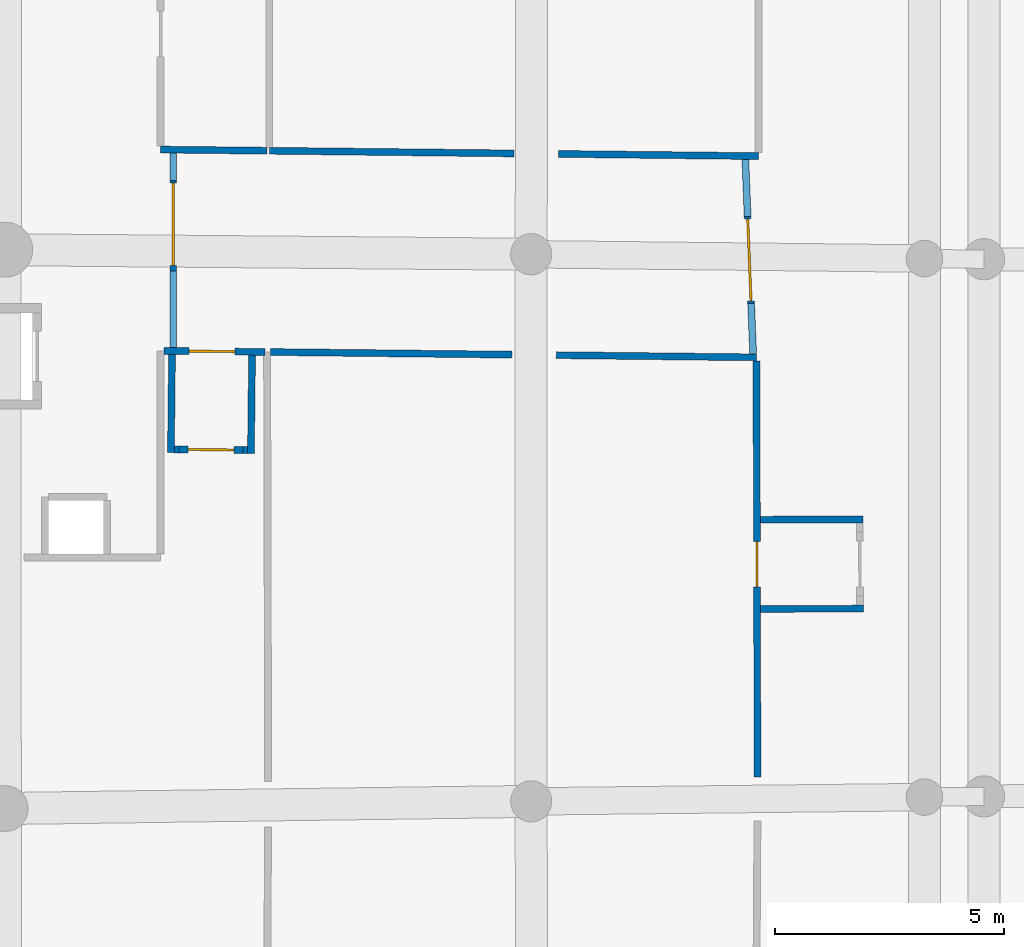
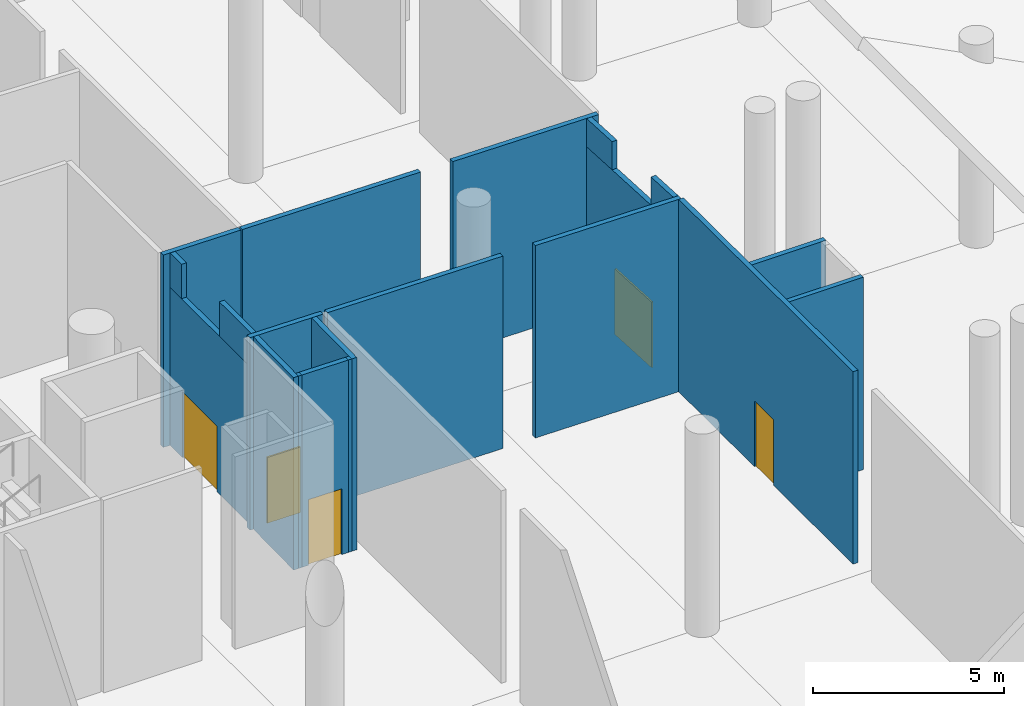
# One storey, part 115 of 255: 20 walls, 5 doors, 5 openings.
"""IFC4 building model written with IfcOpenShell, lengths in metres."""

import ifcopenshell
import ifcopenshell.guid

model = None  # the IFC model being written
_history = None  # IfcOwnerHistory: only IFC2X3 demands one
_inside = {}  # id of a spatial element -> (the spatial element, [elements in it])
_under = {}  # id of a project, library or spatial element -> (it, [spatial elements below it])
_declared = {}  # id of a project -> (the project, [libraries it declares])
_typed = {}  # id of a type object -> (the type object, [elements of that type])
_made_of = {}  # id of a material, layer set ... -> (it, [elements and type objects made of it])


def new_model(schema):
    """Start an empty IFC model of exactly this schema.

    Asked for "IFC4X3", IfcOpenShell would pick the latest addendum, in which some entities
    have other attributes; the version numbers below select the first issue.
    IFC2X3 requires an IfcOwnerHistory on every rooted entity: one is made here for all.
    """
    global model, _history
    if schema == "IFC4X3":
        model = ifcopenshell.file(schema_version=(4, 3, 0, 0))
    else:
        model = ifcopenshell.file(schema=schema)
    _inside.clear()
    _under.clear()
    _declared.clear()
    _typed.clear()
    _made_of.clear()
    _history = None
    if model.schema == "IFC2X3":
        org = make("IfcOrganization", Name="unknown")
        user = make(
            "IfcPersonAndOrganization",
            ThePerson=make("IfcPerson", FamilyName="unknown"),
            TheOrganization=org,
        )
        app = make(
            "IfcApplication",
            ApplicationDeveloper=org,
            Version="unknown",
            ApplicationFullName="unknown",
            ApplicationIdentifier="unknown",
        )
        _history = make(
            "IfcOwnerHistory",
            OwningUser=user,
            OwningApplication=app,
            ChangeAction="ADDED",
            CreationDate=0,
        )
    return model


def make(cls, **values):
    """One entity of the class cls with the attributes given. An attribute that is None is left unset."""
    return model.create_entity(
        cls, **{name: value for name, value in values.items() if value is not None}
    )


def rooted(cls, **values):
    """An entity with a GlobalId (a new one), such as an element, a storey or a relation."""
    return make(cls, GlobalId=ifcopenshell.guid.new(), OwnerHistory=_history, **values)


def si_unit(unit_type, name, prefix=None):
    """IfcSIUnit, for example si_unit("LENGTHUNIT", "METRE", prefix="MILLI")."""
    return make("IfcSIUnit", UnitType=unit_type, Prefix=prefix, Name=name)


def assignment(units):
    """IfcUnitAssignment: the units of a project."""
    return None if units is None else make("IfcUnitAssignment", Units=units)


def point(xyz):
    """IfcCartesianPoint."""
    return None if xyz is None else make("IfcCartesianPoint", Coordinates=xyz)


def direction(xyz):
    """IfcDirection."""
    return None if xyz is None else make("IfcDirection", DirectionRatios=xyz)


def frame(location, z_axis=None, x_axis=None):
    """IfcAxis2Placement3D, a coordinate frame: its origin and axes. An axis left out is left unset."""
    return make(
        "IfcAxis2Placement3D",
        Location=point(location),
        Axis=direction(z_axis),
        RefDirection=direction(x_axis),
    )


def frame_2d(location, x_axis=None):
    """IfcAxis2Placement2D, a coordinate frame in the plane: its origin and x axis."""
    return make(
        "IfcAxis2Placement2D", Location=point(location), RefDirection=direction(x_axis)
    )


def origin():
    """The frame at (0, 0, 0) with its axes left unset."""
    return frame((0.0, 0.0, 0.0))


def place(relative_to, where):
    """IfcLocalPlacement: puts the frame where relative to a parent placement (None: the world)."""
    return make(
        "IfcLocalPlacement", PlacementRelTo=relative_to, RelativePlacement=where
    )


def context(
    kind, dimensions, precision=None, world=None, true_north=None, identifier=None
):
    """IfcGeometricRepresentationContext, for example the 3D "Model" context."""
    return make(
        "IfcGeometricRepresentationContext",
        ContextIdentifier=identifier,
        ContextType=kind,
        CoordinateSpaceDimension=dimensions,
        Precision=precision,
        WorldCoordinateSystem=world,
        TrueNorth=true_north,
    )


def subcontext(parent, identifier, kind, view, scale=None):
    """IfcGeometricRepresentationSubContext, for example "Body" below "Model"."""
    return make(
        "IfcGeometricRepresentationSubContext",
        ContextIdentifier=identifier,
        ContextType=kind,
        ParentContext=parent,
        TargetScale=scale,
        TargetView=view,
    )


def project(units=None, contexts=None):
    """IfcProject with its units and contexts."""
    return rooted(
        "IfcProject",
        Name="project",
        RepresentationContexts=contexts,
        UnitsInContext=assignment(units),
    )


def spatial(cls, under=None, at=None, **own):
    """A site, building, storey or space (cls), placed at a placement, below another one or the project."""
    s = rooted(cls, ObjectPlacement=at, **own)
    if under is not None:
        _under.setdefault(under.id(), (under, []))[1].append(s)
    return s


def profile(cls, at=None, kind="AREA", **sizes):
    """A parametric profile (cls). Its sizes go by their IFC names, for example OverallWidth=200.0."""
    return make(cls, ProfileType=kind, Position=at, **sizes)


def rectangle(**sizes):
    """IfcRectangleProfileDef."""
    return profile("IfcRectangleProfileDef", **sizes)


def extrude(swept, where, along, depth):
    """IfcExtrudedAreaSolid: the profile swept, set in the frame where, extruded along a direction by depth."""
    return make(
        "IfcExtrudedAreaSolid",
        SweptArea=swept,
        Position=where,
        ExtrudedDirection=direction(along),
        Depth=depth,
    )


def shape(context_of_items, identifier, shape_type, items):
    """IfcShapeRepresentation: the items that make up one representation, for example the "Body"."""
    return make(
        "IfcShapeRepresentation",
        ContextOfItems=context_of_items,
        RepresentationIdentifier=identifier,
        RepresentationType=shape_type,
        Items=items,
    )


def material(Name=None, Category=None):
    """IfcMaterial."""
    return make("IfcMaterial", Name=Name, Category=Category)


def layer(
    of_material, thickness, ventilated=None, Name=None, Category=None, Priority=None
):
    """IfcMaterialLayer: one layer of a wall or slab, of a material (None: an air gap)."""
    return make(
        "IfcMaterialLayer",
        Material=of_material,
        LayerThickness=thickness,
        IsVentilated=ventilated,
        Name=Name,
        Category=Category,
        Priority=Priority,
    )


def layer_set(layers, Name=None):
    """IfcMaterialLayerSet."""
    return make("IfcMaterialLayerSet", MaterialLayers=layers, LayerSetName=Name)


def made_of(thing, what):
    """Note that an element or type object is made of a material, layer set ...; save() writes the relation."""
    if what is not None:
        _made_of.setdefault(what.id(), (what, []))[1].append(thing)
    return thing


def type_object(cls, material=None, **own):
    """A type object (cls), such as IfcWallType, which elements share."""
    return made_of(rooted(cls, **own), material)


def element(
    cls,
    number,
    at=None,
    inside=None,
    cuts=None,
    type_object=None,
    material=None,
    context=None,
    identifier="Body",
    shape_type=None,
    held_by="IfcProductDefinitionShape",
    body=None,
    shapes=None,
    **own,
):
    """One element of the class cls, such as IfcWall. Its Tag is "e" and its number.

    at: its placement. inside: the storey or other place that contains it. cuts: it is an
    opening in that element (IfcRelVoidsElement). A single representation is given by context,
    identifier, shape_type and body (its items); several are given by shapes. held_by: the class
    of the entity that holds the representations. save() writes the other relations.
    """
    e = rooted(cls, Tag="e%d" % number, ObjectPlacement=at, **own)
    if body is not None:
        shapes = [shape(context, identifier, shape_type, body)]
    if shapes is not None:
        e.Representation = make(held_by, Representations=shapes)
    if inside is not None:
        _inside.setdefault(inside.id(), (inside, []))[1].append(e)
    if cuts is not None:
        rooted(
            "IfcRelVoidsElement", RelatingBuildingElement=cuts, RelatedOpeningElement=e
        )
    if type_object is not None:
        _typed.setdefault(type_object.id(), (type_object, []))[1].append(e)
    return made_of(e, material)


def fill(opening, filler):
    """IfcRelFillsElement: the door or window that sits in an opening."""
    return rooted(
        "IfcRelFillsElement",
        RelatingOpeningElement=opening,
        RelatedBuildingElement=filler,
    )


def aggregate(whole, parts):
    """IfcRelAggregates: a whole, such as a stair, and the parts it consists of."""
    return rooted("IfcRelAggregates", RelatingObject=whole, RelatedObjects=parts)


def save(model, path):
    """Write the relations noted so far, then the file.

    IfcRelAggregates (storeys below a building ...), IfcRelContainedInSpatialStructure (elements
    in a storey), IfcRelDefinesByType, IfcRelAssociatesMaterial and IfcRelDeclares: one each for
    every whole, place, type object, material and project.
    """
    for whole, parts in _under.values():
        aggregate(whole, parts)
    for where, things in _inside.values():
        rooted(
            "IfcRelContainedInSpatialStructure",
            RelatedElements=things,
            RelatingStructure=where,
        )
    for kind, things in _typed.values():
        rooted("IfcRelDefinesByType", RelatedObjects=things, RelatingType=kind)
    for what, things in _made_of.values():
        rooted("IfcRelAssociatesMaterial", RelatedObjects=things, RelatingMaterial=what)
    for by, libraries in _declared.values():
        rooted("IfcRelDeclares", RelatingContext=by, RelatedDefinitions=libraries)
    model.write(path)


model = new_model("IFC4")

# Units and contexts
model_context = context("Model", 3, precision=1e-05, world=origin(), true_north=direction((0.0, 1.0)))
body_context = subcontext(model_context, "Body", "Model", "MODEL_VIEW")
ifc_project = project(units=[si_unit("LENGTHUNIT", "METRE"), si_unit("AREAUNIT", "SQUARE_METRE"), si_unit("VOLUMEUNIT", "CUBIC_METRE"), si_unit("PLANEANGLEUNIT", "RADIAN"), si_unit("MASSUNIT", "GRAM", prefix="KILO")], contexts=[model_context])

# Site, building, storey
site_placement = place(None, origin())
site = spatial("IfcSite", under=ifc_project, at=site_placement, CompositionType="ELEMENT")
building_placement = place(site_placement, origin())
building = spatial("IfcBuilding", under=site, at=building_placement, Name="Meseta Stadium", CompositionType="ELEMENT")
storey_placement = place(building_placement, origin())
storey = spatial("IfcBuildingStorey", under=building, at=storey_placement, Name="L00", CompositionType="ELEMENT", Elevation=0.0)

# Walls
ifc_material_1 = material(Name="Masonry blockwork", Category="masonry")
ifc_layer = layer(ifc_material_1, 0.14990234375)
ifc_layer_set = layer_set([ifc_layer], Name="Partition 150")
wall_type = type_object("IfcWallType", Name="Partition 150", PredefinedType="PARTITIONING", material=ifc_layer_set)
wall_1_placement = place(storey_placement, frame((-68.524169921875, 8.126953125, 0.0), z_axis=(0.0, 0.0, 1.0), x_axis=(-0.999940244273, 0.01093196608, 0.0)))
element("IfcWall", 1, at=wall_1_placement, inside=storey, type_object=wall_type, Name="Partition L00 L00-cell15-1-0", PredefinedType="PARTITIONING", context=body_context, shape_type="SweptSolid", body=[
    extrude(rectangle(XDim=4.377197265625, YDim=0.14990234375, at=frame_2d((2.1884765625, 0.0))), origin(), (0.0, 0.0, 1.0), 6.14990234375),
])
wall_2_placement = place(storey_placement, frame((-73.873779296875, 8.185546875, 0.0), z_axis=(0.0, 0.0, 1.0), x_axis=(-0.999939527069, 0.010997372611, 0.0)))
element("IfcWall", 2, at=wall_2_placement, inside=storey, type_object=wall_type, Name="Partition L00 L00-cell15-1-0", PredefinedType="PARTITIONING", context=body_context, shape_type="SweptSolid", body=[
    extrude(rectangle(XDim=5.35009765625, YDim=0.14990234375, at=frame_2d((2.675048828125, 0.0))), origin(), (0.0, 0.0, 1.0), 6.14990234375),
])
wall_3_placement = place(storey_placement, frame((-79.273681640625, 8.244873046875, 0.0), z_axis=(0.0, 0.0, 1.0), x_axis=(-0.999940447056, 0.010913401878, 0.0)))
element("IfcWall", 3, at=wall_3_placement, inside=storey, type_object=wall_type, Name="Partition L00 L00-cell15-2-0b1", PredefinedType="PARTITIONING", context=body_context, shape_type="SweptSolid", body=[
    extrude(rectangle(XDim=2.32666015625, YDim=0.14990234375, at=frame_2d((1.163330078125, 0.0))), origin(), (0.0, 0.0, 1.0), 6.14990234375),
])
wall_4_placement = place(storey_placement, frame((-79.19677734375, 3.84375, 0.0), z_axis=(0.0, 0.0, 1.0), x_axis=(0.999939838458, -0.010969022991, 0.0)))
element("IfcWall", 4, at=wall_4_placement, inside=storey, type_object=wall_type, Name="Partition L00 L00-cell16-1-0", PredefinedType="PARTITIONING", context=body_context, shape_type="SweptSolid", body=[
    extrude(rectangle(XDim=5.27490234375, YDim=0.14990234375, at=frame_2d((2.637451171875, 0.0))), origin(), (0.0, 0.0, 1.0), 6.14990234375),
])
wall_5_placement = place(storey_placement, frame((-72.949462890625, 3.775146484375, 0.0), z_axis=(0.0, 0.0, 1.0), x_axis=(0.999940244273, -0.01093196608, 0.0)))
element("IfcWall", 5, at=wall_5_placement, inside=storey, type_object=wall_type, Name="Partition L00 L00-cell16-1-0", PredefinedType="PARTITIONING", context=body_context, shape_type="SweptSolid", body=[
    extrude(rectangle(XDim=4.377197265625, YDim=0.14990234375, at=frame_2d((2.1884765625, 0.0))), origin(), (0.0, 0.0, 1.0), 6.14990234375),
])

# Wall, opening, door
wall_6_placement = place(storey_placement, frame((-68.572265625, 3.652099609375, 0.0), z_axis=(0.0, 0.0, 1.0), x_axis=(0.00249603345, -0.999996884904, 0.0)))
wall_6 = element("IfcWall", 6, at=wall_6_placement, inside=storey, type_object=wall_type, Name="Partition L00 L00-cell16-1-0", PredefinedType="PARTITIONING", context=body_context, shape_type="SweptSolid", body=[
    extrude(rectangle(XDim=9.096435546875, YDim=0.14990234375, at=frame_2d((4.54833984375, 0.0))), origin(), (0.0, 0.0, 1.0), 6.14990234375),
])
opening_1_placement = place(wall_6_placement, frame((3.949951171875, 0.0, 0.0)))
opening_1 = element("IfcOpeningElement", 7, at=opening_1_placement, cuts=wall_6, Name="Opening D583", PredefinedType="OPENING", context=body_context, shape_type="SweptSolid", body=[
    extrude(rectangle(XDim=1.0, YDim=2.10009765625, at=frame_2d((0.5, 1.050048828125))), frame((0.0, 0.0849609375, 0.0), z_axis=(0.0, -1.0, 0.0), x_axis=(1.0, 0.0, 0.0)), (0.0, 0.0, 1.0), 0.169921875),
])
ifc_material_2 = material(Name="Steel", Category="steel")
door_type_1 = type_object("IfcDoorType", Name="Fire door 1000x2100 EI2 60", OperationType="NOTDEFINED", PredefinedType="DOOR", material=ifc_material_2)
door_1_placement = place(opening_1_placement, origin())
door_1 = element("IfcDoor", 8, at=door_1_placement, inside=storey, type_object=door_type_1, Name="Door D583", OperationType="SINGLE_SWING_LEFT", OverallHeight=2.10009765625, OverallWidth=1.0, PredefinedType="DOOR", context=body_context, shape_type="SweptSolid", body=[
    extrude(rectangle(XDim=1.0, YDim=2.10009765625, at=frame_2d((0.5, 1.050048828125))), frame((0.0, 0.02490234375, 0.0), z_axis=(0.0, -1.0, 0.0), x_axis=(1.0, 0.0, 0.0)), (0.0, 0.0, 1.0), 0.050048828125),
])
fill(opening_1, door_1)

wall_7_placement = place(storey_placement, frame((-81.52490234375, 3.869140625, 0.0), z_axis=(0.0, 0.0, 1.0), x_axis=(0.999941036186, -0.010859288735, 0.0)))
wall_7 = element("IfcWall", 9, at=wall_7_placement, inside=storey, type_object=wall_type, Name="Partition L00 L00-cell16-2-0", PredefinedType="PARTITIONING", context=body_context, shape_type="SweptSolid", body=[
    extrude(rectangle(XDim=2.203369140625, YDim=0.14990234375, at=frame_2d((1.1015625, 0.0))), origin(), (0.0, 0.0, 1.0), 6.14990234375),
])
opening_2_placement = place(wall_7_placement, frame((0.550048828125, 0.0, 0.0)))
opening_2 = element("IfcOpeningElement", 10, at=opening_2_placement, cuts=wall_7, Name="Opening D584", PredefinedType="OPENING", context=body_context, shape_type="SweptSolid", body=[
    extrude(rectangle(XDim=1.0, YDim=2.10009765625, at=frame_2d((0.5, 1.050048828125))), frame((0.0, 0.0849609375, 0.0), z_axis=(0.0, -1.0, 0.0), x_axis=(1.0, 0.0, 0.0)), (0.0, 0.0, 1.0), 0.169921875),
])
door_2_placement = place(opening_2_placement, origin())
door_2 = element("IfcDoor", 11, at=door_2_placement, inside=storey, type_object=door_type_1, Name="Door D584", OperationType="SINGLE_SWING_LEFT", OverallHeight=2.10009765625, OverallWidth=1.0, PredefinedType="DOOR", context=body_context, shape_type="SweptSolid", body=[
    extrude(rectangle(XDim=1.0, YDim=2.10009765625, at=frame_2d((0.5, 1.050048828125))), frame((0.0, 0.02490234375, 0.0), z_axis=(0.0, -1.0, 0.0), x_axis=(1.0, 0.0, 0.0)), (0.0, 0.0, 1.0), 0.050048828125),
])
fill(opening_2, door_2)

# Walls
for number, where, z_axis, x_axis, name in (
    (12, (-68.488525390625, 0.177490234375, 0.0), (0.0, 0.0, 1.0), (0.999996885856, 0.00249565195, 0.0), "Partition L00 L00-cell16-1-0 vestibule"),
    (13, (-68.48388671875, -1.772705078125, 0.0), (0.0, 0.0, 1.0), (0.999996885856, 0.00249565195, 0.0), "Partition L00 L00-cell16-1-0 vestibule"),
):
    element("IfcWall", number, at=place(storey_placement, frame(where, z_axis=z_axis, x_axis=x_axis)), inside=storey, type_object=wall_type, Name=name, PredefinedType="PARTITIONING", context=body_context, shape_type="SweptSolid", body=[
        extrude(rectangle(XDim=2.25, YDim=0.14990234375, at=frame_2d((1.125, 0.0))), origin(), (0.0, 0.0, 1.0), 6.14990234375),
    ])
for number, where, z_axis, x_axis, name in (
    (14, (-81.350830078125, 3.792236328125, 0.0), (0.0, 0.0, 1.0), (-0.010901010208, -0.999940582223, 0.0), "Partition L00 L00-cell16-2-0 vestibule"),
    (15, (-79.600830078125, 3.773193359375, 0.0), (0.0, 0.0, 1.0), (-0.011014548693, -0.999939338019, 0.0), "Partition L00 L00-cell16-2-0 vestibule"),
):
    element("IfcWall", number, at=place(storey_placement, frame(where, z_axis=z_axis, x_axis=x_axis)), inside=storey, type_object=wall_type, Name=name, PredefinedType="PARTITIONING", context=body_context, shape_type="SweptSolid", body=[
        extrude(rectangle(XDim=2.150146484375, YDim=0.14990234375, at=frame_2d((1.0751953125, 0.0))), origin(), (0.0, 0.0, 1.0), 6.14990234375),
    ])
wall_8_placement = place(storey_placement, frame((-81.298583984375, 1.716552734375, 0.0), z_axis=(0.0, 0.0, 1.0), x_axis=(0.999952412677, -0.009755633294, 0.0)))
element("IfcWall", 16, at=wall_8_placement, inside=storey, type_object=wall_type, Name="Partition L00 L00-cell16-2-0 vestibule", PredefinedType="PARTITIONING", context=body_context, shape_type="SweptSolid", body=[
    extrude(rectangle(XDim=0.10009765625, YDim=0.14990234375, at=frame_2d((0.050048828125, 0.0))), origin(), (0.0, 0.0, 1.0), 6.14990234375),
])

# Wall, opening, door
wall_9_placement = place(storey_placement, frame((-81.198486328125, 1.715576171875, 0.0), z_axis=(0.0, 0.0, 1.0), x_axis=(0.999939647341, -0.010986431424, 0.0)))
wall_9 = element("IfcWall", 17, at=wall_9_placement, inside=storey, type_object=wall_type, Name="Partition L00 L00-cell16-2-0 vestibule", PredefinedType="PARTITIONING", context=body_context, shape_type="SweptSolid", body=[
    extrude(rectangle(XDim=1.39990234375, YDim=0.14990234375, at=frame_2d((0.699951171875, 0.0))), origin(), (0.0, 0.0, 1.0), 6.14990234375),
])
opening_3_placement = place(wall_9_placement, frame((0.199951171875, 0.0, 0.0)))
opening_3 = element("IfcOpeningElement", 18, at=opening_3_placement, cuts=wall_9, Name="Opening D849", PredefinedType="OPENING", context=body_context, shape_type="SweptSolid", body=[
    extrude(rectangle(XDim=1.0, YDim=2.10009765625, at=frame_2d((0.5, 1.050048828125))), frame((0.0, 0.0849609375, 0.0), z_axis=(0.0, -1.0, 0.0), x_axis=(1.0, 0.0, 0.0)), (0.0, 0.0, 1.0), 0.169921875),
])
door_3_placement = place(opening_3_placement, origin())
door_3 = element("IfcDoor", 19, at=door_3_placement, inside=storey, type_object=door_type_1, Name="Vestibule door L00 L00-cell16-2-0", OperationType="SINGLE_SWING_RIGHT", OverallHeight=2.10009765625, OverallWidth=1.0, PredefinedType="DOOR", context=body_context, shape_type="SweptSolid", body=[
    extrude(rectangle(XDim=1.0, YDim=2.10009765625, at=frame_2d((0.5, 1.050048828125))), frame((0.0, 0.02490234375, 0.0), z_axis=(0.0, -1.0, 0.0), x_axis=(1.0, 0.0, 0.0)), (0.0, 0.0, 1.0), 0.050048828125),
])
fill(opening_3, door_3)

# Wall
wall_10_placement = place(storey_placement, frame((-79.798583984375, 1.7001953125, 0.0), z_axis=(0.0, 0.0, 1.0), x_axis=(0.999952412677, -0.009755633294, 0.0)))
element("IfcWall", 20, at=wall_10_placement, inside=storey, type_object=wall_type, Name="Partition L00 L00-cell16-2-0 vestibule", PredefinedType="PARTITIONING", context=body_context, shape_type="SweptSolid", body=[
    extrude(rectangle(XDim=0.10009765625, YDim=0.14990234375, at=frame_2d((0.050048828125, 0.0))), origin(), (0.0, 0.0, 1.0), 6.14990234375),
])

# Wall, opening, door
wall_11_placement = place(storey_placement, frame((-81.324951171875, 8.1904296875, 0.0), z_axis=(0.0, 0.0, 1.0), x_axis=(0.0, -1.0, 0.0)))
wall_11 = element("IfcWall", 21, at=wall_11_placement, inside=storey, type_object=wall_type, Name="Escape corridor sector wall L00 core 17", PredefinedType="PARTITIONING", context=body_context, shape_type="SweptSolid", body=[
    extrude(rectangle(XDim=4.24658203125, YDim=0.14990234375, at=frame_2d((2.123291015625, 0.0))), origin(), (0.0, 0.0, 1.0), 5.050048828125),
])
opening_4_placement = place(wall_11_placement, frame((0.64990234375, 0.0, 0.0)))
opening_4 = element("IfcOpeningElement", 22, at=opening_4_placement, cuts=wall_11, Name="Opening D421", PredefinedType="OPENING", context=body_context, shape_type="SweptSolid", body=[
    extrude(rectangle(XDim=1.800048828125, YDim=2.10009765625, at=frame_2d((0.89990234375, 1.050048828125))), frame((0.0, 0.0849609375, 0.0), z_axis=(0.0, -1.0, 0.0), x_axis=(1.0, 0.0, 0.0)), (0.0, 0.0, 1.0), 0.169921875),
])
ifc_material_3 = material(Name="Steel", Category="steel")
door_type_2 = type_object("IfcDoorType", Name="Fire double door 1800x2100 EI2 60", OperationType="DOUBLE_DOOR_SINGLE_SWING", PredefinedType="DOOR", material=ifc_material_3)
door_4_placement = place(opening_4_placement, origin())
door_4 = element("IfcDoor", 23, at=door_4_placement, inside=storey, type_object=door_type_2, Name="Escape corridor door EC17-1", OperationType="DOUBLE_DOOR_SINGLE_SWING", OverallHeight=2.10009765625, OverallWidth=1.800048828125, PredefinedType="DOOR", context=body_context, shape_type="SweptSolid", body=[
    extrude(rectangle(XDim=1.800048828125, YDim=2.10009765625, at=frame_2d((0.89990234375, 1.050048828125))), frame((0.0, 0.02490234375, 0.0), z_axis=(0.0, -1.0, 0.0), x_axis=(1.0, 0.0, 0.0)), (0.0, 0.0, 1.0), 0.050048828125),
])
fill(opening_4, door_4)

# Walls
wall_12_placement = place(storey_placement, frame((-81.324951171875, 8.1904296875, 5.050048828125), z_axis=(0.0, 0.0, 1.0), x_axis=(0.0, -1.0, 0.0)))
element("IfcWall", 24, at=wall_12_placement, inside=storey, type_object=wall_type, Name="Escape corridor sector wall L00 core 17", PredefinedType="PARTITIONING", context=body_context, shape_type="SweptSolid", body=[
    extrude(rectangle(XDim=0.599853515625, YDim=0.14990234375, at=frame_2d((0.2998046875, 0.0))), origin(), (0.0, 0.0, 1.0), 1.099853515625),
])
wall_13_placement = place(storey_placement, frame((-81.324951171875, 5.614990234375, 5.050048828125), z_axis=(0.0, 0.0, 1.0), x_axis=(0.0, -1.0, 0.0)))
element("IfcWall", 25, at=wall_13_placement, inside=storey, type_object=wall_type, Name="Escape corridor sector wall L00 core 17", PredefinedType="PARTITIONING", context=body_context, shape_type="SweptSolid", body=[
    extrude(rectangle(XDim=1.671142578125, YDim=0.14990234375, at=frame_2d((0.83544921875, 0.0))), origin(), (0.0, 0.0, 1.0), 1.099853515625),
])

# Wall, opening, door
wall_14_placement = place(storey_placement, frame((-68.815185546875, 8.05029296875, 0.0), z_axis=(0.0, 0.0, 1.0), x_axis=(0.040078263849, -0.999196543612, 0.0)))
wall_14 = element("IfcWall", 26, at=wall_14_placement, inside=storey, type_object=wall_type, Name="Escape corridor discharge wall L00 core 17", PredefinedType="PARTITIONING", context=body_context, shape_type="SweptSolid", body=[
    extrude(rectangle(XDim=4.245849609375, YDim=0.14990234375, at=frame_2d((2.123046875, 0.0))), origin(), (0.0, 0.0, 1.0), 5.25),
])
opening_5_placement = place(wall_14_placement, frame((1.2958984375, 0.0, 0.0)))
opening_5 = element("IfcOpeningElement", 27, at=opening_5_placement, cuts=wall_14, Name="Opening D393", PredefinedType="OPENING", context=body_context, shape_type="SweptSolid", body=[
    extrude(rectangle(XDim=1.800048828125, YDim=2.10009765625, at=frame_2d((0.89990234375, 1.050048828125))), frame((0.0, 0.0849609375, 0.0), z_axis=(0.0, -1.0, 0.0), x_axis=(1.0, 0.0, 0.0)), (0.0, 0.0, 1.0), 0.169921875),
])
door_5_placement = place(opening_5_placement, origin())
door_5 = element("IfcDoor", 28, at=door_5_placement, inside=storey, type_object=door_type_2, Name="Stair discharge door SD17-1", OperationType="DOUBLE_DOOR_SINGLE_SWING", OverallHeight=2.10009765625, OverallWidth=1.800048828125, PredefinedType="DOOR", context=body_context, shape_type="SweptSolid", body=[
    extrude(rectangle(XDim=1.800048828125, YDim=2.10009765625, at=frame_2d((0.89990234375, 1.050048828125))), frame((0.0, 0.02490234375, 0.0), z_axis=(0.0, -1.0, 0.0), x_axis=(1.0, 0.0, 0.0)), (0.0, 0.0, 1.0), 0.050048828125),
])
fill(opening_5, door_5)

# Walls
wall_15_placement = place(storey_placement, frame((-68.689208984375, 4.906982421875, 5.25), z_axis=(0.0, 0.0, 1.0), x_axis=(0.0401719, -0.999192783426, 0.0)))
element("IfcWall", 29, at=wall_15_placement, inside=storey, type_object=wall_type, Name="Escape corridor discharge wall L00 core 17", PredefinedType="PARTITIONING", context=body_context, shape_type="SweptSolid", body=[
    extrude(rectangle(XDim=1.10009765625, YDim=0.14990234375, at=frame_2d((0.550048828125, 0.0))), origin(), (0.0, 0.0, 1.0), 0.89990234375),
])
wall_16_placement = place(storey_placement, frame((-68.815185546875, 8.05029296875, 5.25), z_axis=(0.0, 0.0, 1.0), x_axis=(0.039975864231, -0.999200645656, 0.0)))
element("IfcWall", 30, at=wall_16_placement, inside=storey, type_object=wall_type, Name="Escape corridor discharge wall L00 core 17", PredefinedType="PARTITIONING", context=body_context, shape_type="SweptSolid", body=[
    extrude(rectangle(XDim=1.245849609375, YDim=0.14990234375, at=frame_2d((0.623046875, 0.0))), origin(), (0.0, 0.0, 1.0), 0.89990234375),
])

save(model, "model.ifc")
